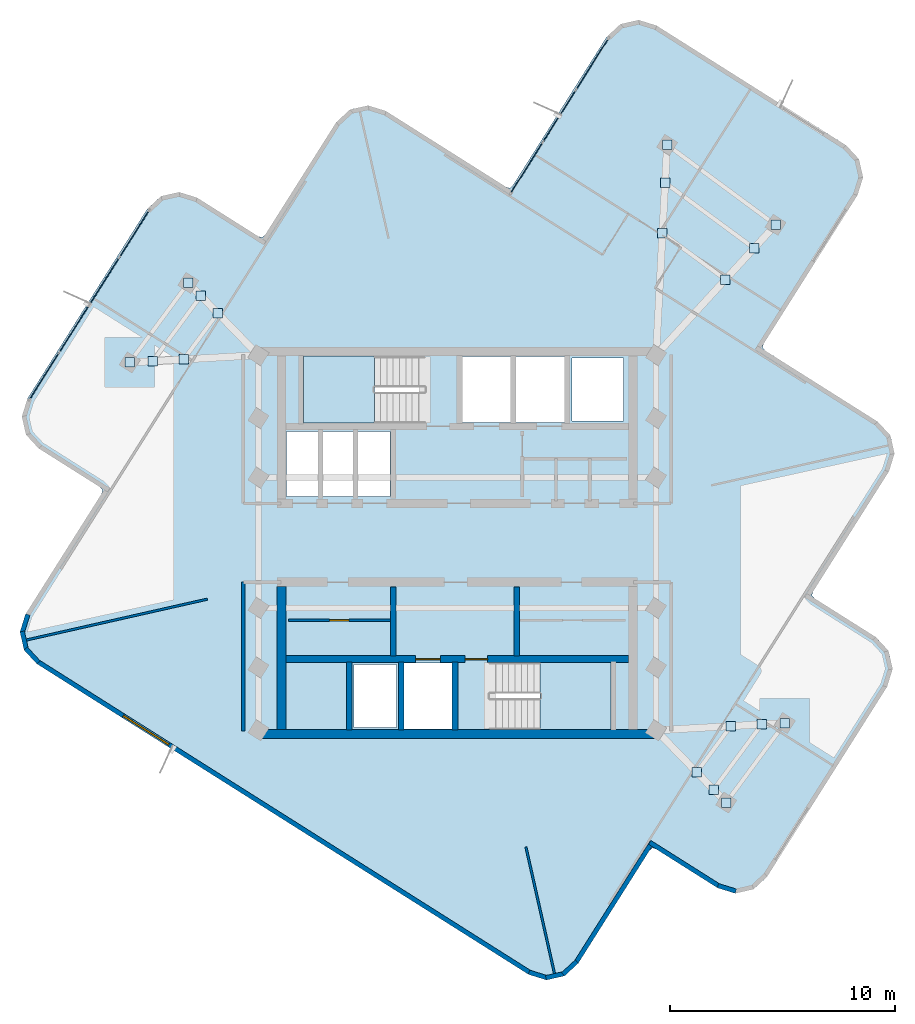
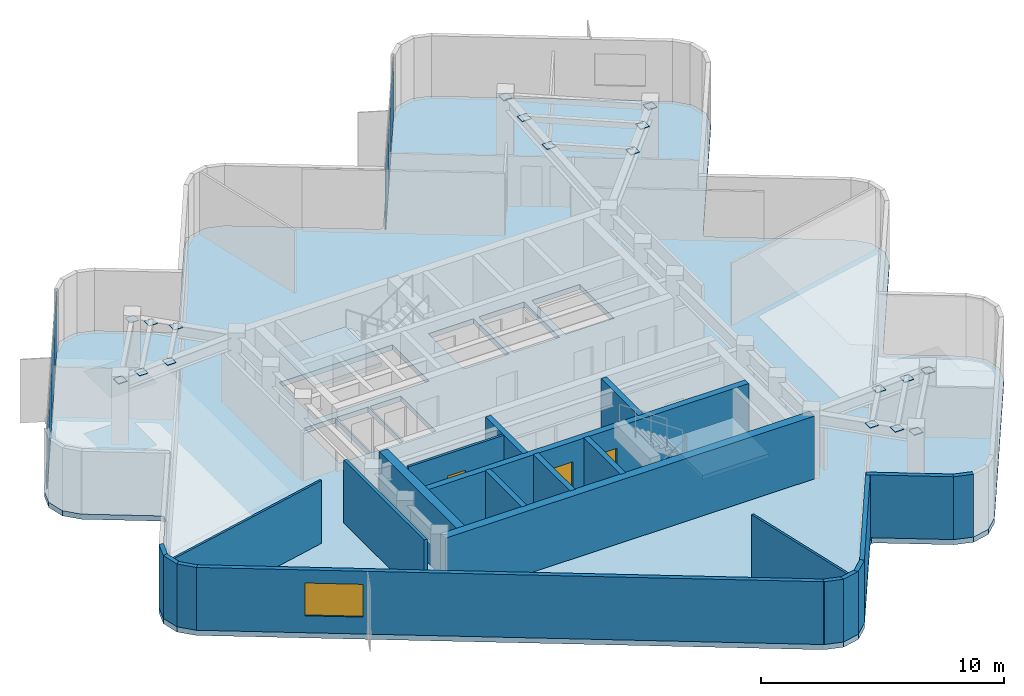
# One storey, part 5 of 10: 25 plates, 22 walls, 3 doors, 3 slabs, 1 window, 4 openings, 4 elements without a shape of their own.
"""IFC4 building model written with IfcOpenShell, lengths in metres."""

from ifc_helpers import new_model, si_unit, direction, frame, frame_2d, origin, origin_2d, place, context, subcontext, project, spatial, polyline, rectangle, outline, extrude, material, layer, layer_set, type_object, element, fill, aggregate, save


model = new_model("IFC4")

# Units and contexts
model_context = context("Model", 3, precision=1e-05, world=origin(), true_north=direction((0.0, 1.0)))
body_context = subcontext(model_context, "Body", "Model", "MODEL_VIEW")
ifc_project = project(units=[si_unit("LENGTHUNIT", "METRE"), si_unit("AREAUNIT", "SQUARE_METRE"), si_unit("VOLUMEUNIT", "CUBIC_METRE"), si_unit("PLANEANGLEUNIT", "RADIAN"), si_unit("MASSUNIT", "GRAM", prefix="KILO")], contexts=[model_context])

# Site, building, storey
site_placement = place(None, origin())
site = spatial("IfcSite", under=ifc_project, at=site_placement, CompositionType="ELEMENT")
building_placement = place(site_placement, origin())
building = spatial("IfcBuilding", under=site, at=building_placement, Name="Solmarez Civic Tower", CompositionType="ELEMENT")
storey_placement = place(building_placement, frame((0.0, 0.0, 274.860107421875)))
storey = spatial("IfcBuildingStorey", under=building, at=storey_placement, Name="L74", CompositionType="ELEMENT", Elevation=274.860107421875)

# Curtain wall, plates
ifc_material_1 = material(Name="Bronze Anodised Aluminium EN AW-6063 T6", Category="aluminium")
ifc_layer_1 = layer(ifc_material_1, 0.1650390625)
ifc_layer_set_1 = layer_set([ifc_layer_1], Name="Bronze Anodised Aluminium EN AW-6063 T6")
curtain_wall_type = type_object("IfcCurtainWallType", Name="CW-SYS-4", PredefinedType="NOTDEFINED", material=ifc_layer_set_1)
curtain_wall_1_placement = place(storey_placement, origin())
curtain_wall_1 = element("IfcCurtainWall", 1, at=curtain_wall_1_placement, inside=storey, type_object=curtain_wall_type, Name="L74 Stick-Built Curtain Wall 1", PredefinedType="NOTDEFINED")
ifc_material_2 = material(Name="Solar Control Low-E Laminated Vision Glass", Category="glass")
ifc_layer_2 = layer(ifc_material_2, 0.0400390625)
ifc_layer_set_2 = layer_set([ifc_layer_2], Name="Solar Control Low-E Laminated Vision Glass")
plate_type_1 = type_object("IfcPlateType", Name="CWP-GLAZ-40", PredefinedType="CURTAIN_PANEL", material=ifc_layer_set_2)
plate_1_placement = place(storey_placement, frame((-18.37890625, 7.41796875, 0.06982421875), z_axis=(0.0, 0.0, 1.0), x_axis=(0.534064309626, 0.845443855725, 0.0)))
plate_1 = element("IfcPlate", 2, at=plate_1_placement, type_object=plate_type_1, Name="CWS4 panel 1.1", PredefinedType="CURTAIN_PANEL", context=body_context, shape_type="SweptSolid", body=[
    extrude(rectangle(XDim=2.415771484375, YDim=0.0400390625, at=origin_2d()), origin(), (0.0, 0.0, 1.0), 3.02001953125),
])
plate_2_placement = place(storey_placement, frame((-17.048583984375, 9.523681640625, 0.06982421875), z_axis=(0.0, 0.0, 1.0), x_axis=(0.534064309626, 0.845443855725, 0.0)))
plate_2 = element("IfcPlate", 3, at=plate_2_placement, type_object=plate_type_1, Name="CWS4 panel 2.1", PredefinedType="CURTAIN_PANEL", context=body_context, shape_type="SweptSolid", body=[
    extrude(rectangle(XDim=2.44580078125, YDim=0.0400390625, at=origin_2d()), origin(), (0.0, 0.0, 1.0), 3.02001953125),
])
plate_3_placement = place(storey_placement, frame((-15.71044921875, 11.642333984375, 0.06982421875), z_axis=(0.0, 0.0, 1.0), x_axis=(0.534064309626, 0.845443855725, 0.0)))
plate_3 = element("IfcPlate", 4, at=plate_3_placement, type_object=plate_type_1, Name="CWS4 panel 3.1", PredefinedType="CURTAIN_PANEL", context=body_context, shape_type="SweptSolid", body=[
    extrude(rectangle(XDim=2.44580078125, YDim=0.0400390625, at=origin_2d()), origin(), (0.0, 0.0, 1.0), 3.02001953125),
])
plate_4_placement = place(storey_placement, frame((-14.380126953125, 13.748046875, 0.06982421875), z_axis=(0.0, 0.0, 1.0), x_axis=(0.534064309626, 0.845443855725, 0.0)))
plate_4 = element("IfcPlate", 5, at=plate_4_placement, type_object=plate_type_1, Name="CWS4 panel 4.1", PredefinedType="CURTAIN_PANEL", context=body_context, shape_type="SweptSolid", body=[
    extrude(rectangle(XDim=2.415771484375, YDim=0.0400390625, at=origin_2d()), origin(), (0.0, 0.0, 1.0), 3.02001953125),
])
aggregate(curtain_wall_1, [plate_1, plate_2, plate_3, plate_4])

curtain_wall_2_placement = place(storey_placement, origin())
curtain_wall_2 = element("IfcCurtainWall", 6, at=curtain_wall_2_placement, inside=storey, type_object=curtain_wall_type, Name="L74 Stick-Built Curtain Wall 2", PredefinedType="NOTDEFINED")
plate_5_placement = place(storey_placement, frame((3.089599609375, 16.687255859375, 0.06982421875), z_axis=(0.0, 0.0, 1.0), x_axis=(0.533951908383, 0.845514848796, 0.0)))
plate_5 = element("IfcPlate", 7, at=plate_5_placement, type_object=plate_type_1, Name="CWS4 panel 1.1", PredefinedType="CURTAIN_PANEL", context=body_context, shape_type="SweptSolid", body=[
    extrude(rectangle(XDim=2.657470703125, YDim=0.0400390625, at=origin_2d()), origin(), (0.0, 0.0, 1.0), 3.02001953125),
])
plate_6_placement = place(storey_placement, frame((4.548583984375, 18.99755859375, 0.06982421875), z_axis=(0.0, 0.0, 1.0), x_axis=(0.533951908383, 0.845514848796, 0.0)))
plate_6 = element("IfcPlate", 8, at=plate_6_placement, type_object=plate_type_1, Name="CWS4 panel 2.1", PredefinedType="CURTAIN_PANEL", context=body_context, shape_type="SweptSolid", body=[
    extrude(rectangle(XDim=2.6875, YDim=0.0400390625, at=origin_2d()), origin(), (0.0, 0.0, 1.0), 3.02001953125),
])
plate_7_placement = place(storey_placement, frame((6.007568359375, 21.307861328125, 0.06982421875), z_axis=(0.0, 0.0, 1.0), x_axis=(0.533951908383, 0.845514848796, 0.0)))
plate_7 = element("IfcPlate", 9, at=plate_7_placement, type_object=plate_type_1, Name="CWS4 panel 3.1", PredefinedType="CURTAIN_PANEL", context=body_context, shape_type="SweptSolid", body=[
    extrude(rectangle(XDim=2.657470703125, YDim=0.0400390625, at=origin_2d()), origin(), (0.0, 0.0, 1.0), 3.02001953125),
])
aggregate(curtain_wall_2, [plate_5, plate_6, plate_7])

# Plates
ifc_material_3 = material(Name="Steel S355", Category="steel")
ifc_layer_3 = layer(ifc_material_3, 0.02392578125)
ifc_layer_set_3 = layer_set([ifc_layer_3], Name="Steel S355")
plate_type_2 = type_object("IfcPlateType", Name="PLT-CAP-380", PredefinedType="USERDEFINED", material=ifc_layer_set_3)
for number, where, z_axis, x_axis, name in (
    (10, (14.1689453125, 14.152099609375, 2.998046875), (0.0, 0.0, 1.0), (1.0, 0.0, 0.0), "Steel Member End Cap Plate CAP-BM-L74-EA-T1-0"),
    (11, (9.341064453125, 17.714111328125, 2.998046875), (0.0, 0.0, 1.0), (1.0, 0.0, 0.0), "Steel Member End Cap Plate CAP-BM-L74-EA-T1-1"),
    (12, (11.93505859375, 11.715087890625, 2.998046875), (0.0, 0.0, 1.0), (1.0, 0.0, 0.0), "Steel Member End Cap Plate CAP-JS-L74-EA-M11-0"),
    (13, (9.135009765625, 13.781005859375, 2.998046875), (0.0, 0.0, 1.0), (1.0, 0.0, 0.0), "Steel Member End Cap Plate CAP-JS-L74-EA-M11-1"),
    (14, (13.2119140625, 13.10791015625, 2.998046875), (0.0, 0.0, 1.0), (1.0, 0.0, 0.0), "Steel Member End Cap Plate CAP-JS-L74-EA-M12-0"),
    (15, (9.2529296875, 16.028076171875, 2.998046875), (0.0, 0.0, 1.0), (1.0, 0.0, 0.0), "Steel Member End Cap Plate CAP-JS-L74-EA-M12-1"),
    (16, (-11.970947265625, 11.56591796875, 2.998046875), (0.0, 0.0, 1.0), (1.0, 0.0, 0.0), "Steel Member End Cap Plate CAP-BM-L74-NA-T1-0"),
    (17, (-14.5830078125, 8.02587890625, 2.998046875), (0.0, 0.0, 1.0), (1.0, 0.0, 0.0), "Steel Member End Cap Plate CAP-BM-L74-NA-T1-1"),
    (18, (-10.659912109375, 10.215087890625, 2.998046875), (0.0, 0.0, 1.0), (1.0, 0.0, 0.0), "Steel Member End Cap Plate CAP-JS-L74-NA-M11-0"),
    (19, (-12.175048828125, 8.162109375, 2.998046875), (0.0, 0.0, 1.0), (1.0, 0.0, 0.0), "Steel Member End Cap Plate CAP-JS-L74-NA-M11-1"),
    (20, (-11.408935546875, 10.987060546875, 2.998046875), (0.0, 0.0, 1.0), (1.0, 0.0, 0.0), "Steel Member End Cap Plate CAP-JS-L74-NA-M12-0"),
    (21, (-13.551025390625, 8.083984375, 2.998046875), (0.0, 0.0, 1.0), (1.0, 0.0, 0.0), "Steel Member End Cap Plate CAP-JS-L74-NA-M12-1"),
    (22, (11.970947265625, -11.56591796875, 2.998046875), (0.0, 0.0, 1.0), (1.0, 0.0, 0.0), "Steel Member End Cap Plate CAP-BM-L74-SA-T1-0"),
    (23, (14.5830078125, -8.02587890625, 2.998046875), (0.0, 0.0, 1.0), (1.0, 0.0, 0.0), "Steel Member End Cap Plate CAP-BM-L74-SA-T1-1"),
    (24, (10.659912109375, -10.215087890625, 2.998046875), (0.0, 0.0, 1.0), (1.0, 0.0, 0.0), "Steel Member End Cap Plate CAP-JS-L74-SA-M11-0"),
    (25, (12.175048828125, -8.162109375, 2.998046875), (0.0, 0.0, 1.0), (1.0, 0.0, 0.0), "Steel Member End Cap Plate CAP-JS-L74-SA-M11-1"),
    (26, (11.408935546875, -10.987060546875, 2.998046875), (0.0, 0.0, 1.0), (1.0, 0.0, 0.0), "Steel Member End Cap Plate CAP-JS-L74-SA-M12-0"),
    (27, (13.551025390625, -8.083984375, 2.998046875), (0.0, 0.0, 1.0), (1.0, 0.0, 0.0), "Steel Member End Cap Plate CAP-JS-L74-SA-M12-1"),
):
    element("IfcPlate", number, at=place(storey_placement, frame(where, z_axis=z_axis, x_axis=x_axis)), inside=storey, type_object=plate_type_2, Name=name, ObjectType="CAP_PLATE", PredefinedType="USERDEFINED", context=body_context, shape_type="SweptSolid", body=[
        extrude(rectangle(XDim=0.419921875, YDim=0.419921875, at=origin_2d()), origin(), (0.0, 0.0, 1.0), 0.02392578125),
    ])

# Stair, slab
ifc_material_4 = material(Name="Concrete C50/60", Category="concrete")
stair_type = type_object("IfcStairType", Name="STAIR-DOGLEG-140W-18R-1900", PredefinedType="HALF_TURN_STAIR", material=ifc_material_4)
stair_1_placement = place(storey_placement, origin())
stair_1 = element("IfcStair", 28, at=stair_1_placement, inside=storey, type_object=stair_type, Name="L74 North Core Protected Exit Stair ST-1", PredefinedType="HALF_TURN_STAIR")
ifc_layer_4 = layer(ifc_material_4, 0.199951171875)
ifc_layer_set_4 = layer_set([ifc_layer_4], Name="Concrete C50/60")
slab_type_1 = type_object("IfcSlabType", Name="SLAB-LANDING-200", PredefinedType="LANDING", material=ifc_layer_set_4)
slab_1_placement = place(storey_placement, frame((0.0, 0.0, 1.510009765625)))
slab_1 = element("IfcSlab", 29, at=slab_1_placement, type_object=slab_type_1, Name="ST-1 landing 1", PredefinedType="LANDING", context=body_context, shape_type="SweptSolid", body=[
    extrude(outline(polyline([(-3.68994140625, 8.320068359375), (-6.85009765625, 8.320068359375), (-6.85009765625, 5.320068359375), (-3.68994140625, 5.320068359375), (-3.68994140625, 8.320068359375)])), origin(), (0.0, 0.0, 1.0), 0.199951171875),
])
aggregate(stair_1, [slab_1])

stair_2_placement = place(storey_placement, origin())
stair_2 = element("IfcStair", 30, at=stair_2_placement, inside=storey, type_object=stair_type, Name="L74 South Core Protected Exit Stair ST-2", PredefinedType="HALF_TURN_STAIR")
slab_2_placement = place(storey_placement, frame((0.0, 0.0, 1.510009765625)))
slab_2 = element("IfcSlab", 31, at=slab_2_placement, type_object=slab_type_1, Name="ST-2 landing 1", PredefinedType="LANDING", context=body_context, shape_type="SweptSolid", body=[
    extrude(outline(polyline([(3.68994140625, -8.320068359375), (6.85009765625, -8.320068359375), (6.85009765625, -5.320068359375), (3.68994140625, -5.320068359375), (3.68994140625, -8.320068359375)])), origin(), (0.0, 0.0, 1.0), 0.199951171875),
])
aggregate(stair_2, [slab_2])

# Slab
ifc_layer_5 = layer(ifc_material_4, 0.260009765625)
ifc_layer_set_5 = layer_set([ifc_layer_5], Name="Concrete C50/60")
slab_type_2 = type_object("IfcSlabType", Name="SLAB-TOWER-260", PredefinedType="FLOOR", material=ifc_layer_set_5)
slab_3_placement = place(storey_placement, frame((0.0, 0.0, -0.260009765625)))
element("IfcSlab", 32, at=slab_3_placement, inside=storey, type_object=slab_type_2, Name="L74 Structural Slab", PredefinedType="FLOOR", context=body_context, shape_type="SweptSolid", body=[
    extrude(outline(polyline([(8.847900390625, -13.632080078125), (11.5859375, -15.362060546875), (12.376953125, -15.60791015625), (13.18505859375, -15.426025390625), (13.7939453125, -14.864013671875), (19.134033203125, -6.408935546875), (19.3798828125, -5.618896484375), (19.197998046875, -4.81103515625), (18.635986328125, -4.201904296875), (15.89697265625, -2.471923828125), (15.781005859375, -2.345947265625), (15.83203125, -2.181884765625), (19.217041015625, 3.177978515625), (19.462890625, 3.968994140625), (19.281005859375, 4.777099609375), (18.718994140625, 5.385009765625), (13.697998046875, 8.556884765625), (13.5810546875, 8.68408203125), (13.632080078125, 8.847900390625), (17.819091796875, 15.47607421875), (18.06494140625, 16.26611328125), (17.882080078125, 17.073974609375), (17.321044921875, 17.68310546875), (8.865966796875, 23.02294921875), (8.074951171875, 23.26904296875), (7.26708984375, 23.0869140625), (6.658935546875, 22.52490234375), (2.471923828125, 15.89697265625), (2.345947265625, 15.781005859375), (2.181884765625, 15.83203125), (-3.177978515625, 19.217041015625), (-3.968994140625, 19.462890625), (-4.777099609375, 19.281005859375), (-5.385009765625, 18.718994140625), (-8.556884765625, 13.697998046875), (-8.68408203125, 13.5810546875), (-8.847900390625, 13.632080078125), (-11.5859375, 15.362060546875), (-12.376953125, 15.60791015625), (-13.18505859375, 15.426025390625), (-13.7939453125, 14.864013671875), (-19.134033203125, 6.408935546875), (-19.3798828125, 5.618896484375), (-19.197998046875, 4.81103515625), (-18.635986328125, 4.201904296875), (-15.89697265625, 2.471923828125), (-15.781005859375, 2.345947265625), (-15.83203125, 2.181884765625), (-19.217041015625, -3.177978515625), (-19.462890625, -3.968994140625), (-19.281005859375, -4.777099609375), (-18.718994140625, -5.385009765625), (3.177978515625, -19.217041015625), (3.968994140625, -19.462890625), (4.777099609375, -19.281005859375), (5.385009765625, -18.718994140625), (8.556884765625, -13.697998046875), (8.68408203125, -13.5810546875), (8.847900390625, -13.632080078125)]), holes=[polyline([(-1.449951171875, 8.320068359375), (-6.85009765625, 8.320068359375), (-6.85009765625, 5.320068359375), (-1.449951171875, 5.320068359375), (-1.449951171875, 8.320068359375)]), polyline([(1.449951171875, -8.320068359375), (6.85009765625, -8.320068359375), (6.85009765625, -5.320068359375), (1.449951171875, -5.320068359375), (1.449951171875, -8.320068359375)]), polyline([(0.219970703125, 5.360107421875), (2.3798828125, 5.360107421875), (2.3798828125, 8.280029296875), (0.219970703125, 8.280029296875), (0.219970703125, 5.360107421875)]), polyline([(2.6201171875, 5.360107421875), (4.780029296875, 5.360107421875), (4.780029296875, 8.280029296875), (2.6201171875, 8.280029296875), (2.6201171875, 5.360107421875)]), polyline([(-2.3798828125, -8.280029296875), (-0.219970703125, -8.280029296875), (-0.219970703125, -5.360107421875), (-2.3798828125, -5.360107421875), (-2.3798828125, -8.280029296875)]), polyline([(-7.60009765625, 2.06005859375), (-6.1201171875, 2.06005859375), (-6.1201171875, 4.9599609375), (-7.60009765625, 4.9599609375), (-7.60009765625, 2.06005859375)]), polyline([(-6.0400390625, 2.06005859375), (-4.56005859375, 2.06005859375), (-4.56005859375, 4.9599609375), (-6.0400390625, 4.9599609375), (-6.0400390625, 2.06005859375)]), polyline([(-4.47998046875, 2.06005859375), (-3.0, 2.06005859375), (-3.0, 4.9599609375), (-4.47998046875, 4.9599609375), (-4.47998046875, 2.06005859375)]), polyline([(5.10009765625, 5.419921875), (7.39990234375, 5.419921875), (7.39990234375, 8.219970703125), (5.10009765625, 8.219970703125), (5.10009765625, 5.419921875)]), polyline([(-4.60009765625, -8.219970703125), (-2.699951171875, -8.219970703125), (-2.699951171875, -5.419921875), (-4.60009765625, -5.419921875), (-4.60009765625, -8.219970703125)])]), origin(), (0.0, 0.0, 1.0), 0.260009765625),
])

# Walls
ifc_layer_6 = layer(ifc_material_4, 0.39990234375)
ifc_layer_set_6 = layer_set([ifc_layer_6], Name="Concrete C50/60")
wall_type_1 = type_object("IfcWallType", Name="WALL-CORE-400", PredefinedType="SHEAR", material=ifc_layer_set_6)
wall_1_placement = place(storey_placement, frame((8.780029296875, -8.510009765625, 0.0), z_axis=(0.0, 0.0, 1.0), x_axis=(-1.0, 0.0, 0.0)))
element("IfcWall", 33, at=wall_1_placement, inside=storey, type_object=wall_type_1, Name="L74 Split-Core Structural Wall SCW-S-L74", PredefinedType="SHEAR", context=body_context, shape_type="SweptSolid", body=[
    extrude(rectangle(XDim=17.56005859375, YDim=0.39990234375, at=frame_2d((8.780029296875, 0.0))), origin(), (0.0, 0.0, 1.0), 3.159912109375),
])
wall_2_placement = place(storey_placement, frame((-7.820068359375, -8.31005859375, 0.0), z_axis=(0.0, 0.0, 1.0), x_axis=(0.0, 1.0, 0.0)))
element("IfcWall", 34, at=wall_2_placement, inside=storey, type_object=wall_type_1, Name="L74 Split-Core Structural Wall SCW-W-L74", PredefinedType="SHEAR", context=body_context, shape_type="SweptSolid", body=[
    extrude(rectangle(XDim=6.360107421875, YDim=0.39990234375, at=frame_2d((3.18017578125, 0.0))), origin(), (0.0, 0.0, 1.0), 3.159912109375),
])
ifc_material_5 = material(Name="Precast concrete C40/50", Category="concrete")
ifc_layer_7 = layer(ifc_material_5, 0.199951171875)
ifc_layer_set_7 = layer_set([ifc_layer_7], Name="Precast concrete C40/50")
wall_type_2 = type_object("IfcWallType", Name="WALL-EXT-200", PredefinedType="SOLIDWALL", material=ifc_layer_set_7)
wall_3_placement = place(storey_placement, frame((8.680908203125, -13.31396484375, 0.0), z_axis=(0.0, 0.0, 1.0), x_axis=(-0.533927810135, -0.845530066623, 0.0)))
element("IfcWall", 35, at=wall_3_placement, inside=storey, type_object=wall_type_2, Name="L74 Exterior Precast Wall 2", PredefinedType="SOLIDWALL", context=body_context, shape_type="SweptSolid", body=[
    extrude(rectangle(XDim=6.341552734375, YDim=0.199951171875, at=frame_2d((3.1708984375, 0.0))), origin(), (0.0, 0.0, 1.0), 3.159912109375),
])
wall_4_placement = place(storey_placement, frame((5.325927734375, -18.637939453125, 0.0), z_axis=(0.0, 0.0, 1.0), x_axis=(-0.734546260064, -0.678558613405, 0.0)))
element("IfcWall", 36, at=wall_4_placement, inside=storey, type_object=wall_type_2, Name="L74 Exterior Precast Wall 3", PredefinedType="SOLIDWALL", context=body_context, shape_type="SweptSolid", body=[
    extrude(rectangle(XDim=0.837158203125, YDim=0.199951171875, at=frame_2d((0.41845703125, 0.0))), origin(), (0.0, 0.0, 1.0), 3.159912109375),
])
wall_5_placement = place(storey_placement, frame((4.7529296875, -19.18310546875, 0.0), z_axis=(0.0, 0.0, 1.0), x_axis=(-0.975095027757, -0.22178748126, 0.0)))
element("IfcWall", 37, at=wall_5_placement, inside=storey, type_object=wall_type_2, Name="L74 Exterior Precast Wall 4", PredefinedType="SOLIDWALL", context=body_context, shape_type="SweptSolid", body=[
    extrude(rectangle(XDim=0.824462890625, YDim=0.199951171875, at=frame_2d((0.412109375, 0.0))), origin(), (0.0, 0.0, 1.0), 3.159912109375),
])
wall_6_placement = place(storey_placement, frame((3.9970703125, -19.366943359375, 0.0), z_axis=(0.0, 0.0, 1.0), x_axis=(-0.955248680357, 0.295803919306, 0.0)))
element("IfcWall", 38, at=wall_6_placement, inside=storey, type_object=wall_type_2, Name="L74 Exterior Precast Wall 5", PredefinedType="SOLIDWALL", context=body_context, shape_type="SweptSolid", body=[
    extrude(rectangle(XDim=0.838623046875, YDim=0.199951171875, at=frame_2d((0.41943359375, 0.0))), origin(), (0.0, 0.0, 1.0), 3.159912109375),
])

# Wall, opening, window
wall_7_placement = place(storey_placement, frame((3.240966796875, -19.138916015625, 0.0), z_axis=(0.0, 0.0, 1.0), x_axis=(-0.84545958519, 0.534039408481, 0.0)))
wall_7 = element("IfcWall", 39, at=wall_7_placement, inside=storey, type_object=wall_type_2, Name="L74 Exterior Precast Wall 6", PredefinedType="SOLIDWALL", context=body_context, shape_type="SweptSolid", body=[
    extrude(rectangle(XDim=25.923095703125, YDim=0.199951171875, at=frame_2d((12.96142578125, 0.0))), origin(), (0.0, 0.0, 1.0), 3.159912109375),
])
opening_1_placement = place(wall_7_placement, frame((19.02001953125, 0.0, 0.85009765625)))
opening_1 = element("IfcOpeningElement", 40, at=opening_1_placement, cuts=wall_7, Name="Opening W-10", PredefinedType="OPENING", context=body_context, shape_type="SweptSolid", body=[
    extrude(rectangle(XDim=2.39990234375, YDim=1.64990234375, at=frame_2d((1.199951171875, 0.824951171875))), frame((0.0, 0.10986328125, 0.0), z_axis=(0.0, -1.0, 0.0), x_axis=(1.0, 0.0, 0.0)), (0.0, 0.0, 1.0), 0.219970703125),
])
ifc_material_6 = material(Name="Solar Control Bronze-Tinted Insulating Glass", Category="glass")
window_type = type_object("IfcWindowType", Name="WIN-2400X1650", PartitioningType="SINGLE_PANEL", PredefinedType="WINDOW", material=ifc_material_6)
window_placement = place(opening_1_placement, origin())
window = element("IfcWindow", 41, at=window_placement, inside=storey, type_object=window_type, Name="L74 Exterior Facade Window 6", OverallHeight=1.64990234375, OverallWidth=2.39990234375, PartitioningType="SINGLE_PANEL", PredefinedType="WINDOW", context=body_context, shape_type="SweptSolid", body=[
    extrude(rectangle(XDim=2.39990234375, YDim=1.64990234375, at=frame_2d((1.199951171875, 0.824951171875))), frame((0.0, 0.030029296875, 0.0), z_axis=(0.0, -1.0, 0.0), x_axis=(1.0, 0.0, 0.0)), (0.0, 0.0, 1.0), 0.06005859375),
])
fill(opening_1, window)

# Walls
wall_8_placement = place(storey_placement, frame((-18.637939453125, -5.325927734375, 0.0), z_axis=(0.0, 0.0, 1.0), x_axis=(-0.678558613405, 0.734546260064, 0.0)))
element("IfcWall", 42, at=wall_8_placement, inside=storey, type_object=wall_type_2, Name="L74 Exterior Precast Wall 7", PredefinedType="SOLIDWALL", context=body_context, shape_type="SweptSolid", body=[
    extrude(rectangle(XDim=0.837158203125, YDim=0.199951171875, at=frame_2d((0.41845703125, 0.0))), origin(), (0.0, 0.0, 1.0), 3.159912109375),
])
wall_9_placement = place(storey_placement, frame((-19.18310546875, -4.7529296875, 0.0), z_axis=(0.0, 0.0, 1.0), x_axis=(-0.22178748126, 0.975095027757, 0.0)))
element("IfcWall", 43, at=wall_9_placement, inside=storey, type_object=wall_type_2, Name="L74 Exterior Precast Wall 8", PredefinedType="SOLIDWALL", context=body_context, shape_type="SweptSolid", body=[
    extrude(rectangle(XDim=0.824462890625, YDim=0.199951171875, at=frame_2d((0.412109375, 0.0))), origin(), (0.0, 0.0, 1.0), 3.159912109375),
])
wall_10_placement = place(storey_placement, frame((-19.366943359375, -3.9970703125, 0.0), z_axis=(0.0, 0.0, 1.0), x_axis=(0.295803919306, 0.955248680357, 0.0)))
element("IfcWall", 44, at=wall_10_placement, inside=storey, type_object=wall_type_2, Name="L74 Exterior Precast Wall 9", PredefinedType="SOLIDWALL", context=body_context, shape_type="SweptSolid", body=[
    extrude(rectangle(XDim=0.838623046875, YDim=0.199951171875, at=frame_2d((0.41943359375, 0.0))), origin(), (0.0, 0.0, 1.0), 3.159912109375),
])
wall_11_placement = place(storey_placement, frame((12.405029296875, -15.511962890625, 0.0), z_axis=(0.0, 0.0, 1.0), x_axis=(-0.95514660916, 0.296133339917, 0.0)))
element("IfcWall", 45, at=wall_11_placement, inside=storey, type_object=wall_type_2, Name="L74 Exterior Precast Wall 56", PredefinedType="SOLIDWALL", context=body_context, shape_type="SweptSolid", body=[
    extrude(rectangle(XDim=0.837646484375, YDim=0.199951171875, at=frame_2d((0.4189453125, 0.0))), origin(), (0.0, 0.0, 1.0), 3.159912109375),
])
wall_12_placement = place(storey_placement, frame((11.64990234375, -15.283935546875, 0.0), z_axis=(0.0, 0.0, 1.0), x_axis=(-0.84553031048, 0.533927423962, 0.0)))
element("IfcWall", 46, at=wall_12_placement, inside=storey, type_object=wall_type_2, Name="L74 Exterior Precast Wall 57", PredefinedType="SOLIDWALL", context=body_context, shape_type="SweptSolid", body=[
    extrude(rectangle(XDim=3.642578125, YDim=0.199951171875, at=frame_2d((1.8212890625, 0.0))), origin(), (0.0, 0.0, 1.0), 3.159912109375),
])
ifc_material_7 = material(Name="Gypsum Board Acoustic Steel-Stud Partition", Category="steel")
ifc_layer_8 = layer(ifc_material_7, 0.14990234375)
ifc_layer_set_8 = layer_set([ifc_layer_8], Name="Gypsum Board Acoustic Steel-Stud Partition")
wall_type_3 = type_object("IfcWallType", Name="WALL-INT-FIRE-150", PredefinedType="PARTITIONING", material=ifc_layer_set_8)
wall_13_placement = place(storey_placement, frame((-9.52001953125, -8.3798828125, 0.0), z_axis=(0.0, 0.0, 1.0), x_axis=(0.0, 1.0, 0.0)))
element("IfcWall", 47, at=wall_13_placement, inside=storey, type_object=wall_type_3, Name="L74 Interior Partition CHW-L74-WS1", PredefinedType="PARTITIONING", context=body_context, shape_type="SweptSolid", body=[
    extrude(rectangle(XDim=6.6298828125, YDim=0.14990234375, at=frame_2d((3.31494140625, 0.0))), origin(), (0.0, 0.0, 1.0), 3.159912109375),
])
ifc_layer_9 = layer(ifc_material_7, 0.10009765625)
ifc_layer_set_9 = layer_set([ifc_layer_9], Name="Gypsum Board Acoustic Steel-Stud Partition")
wall_type_4 = type_object("IfcWallType", Name="WALL-INT-PART-100", PredefinedType="PARTITIONING", material=ifc_layer_set_9)
wall_14_placement = place(storey_placement, frame((-11.1201171875, -2.510009765625, 0.0), z_axis=(0.0, 0.0, 1.0), x_axis=(-0.975442430033, -0.220254547494, 0.0)))
element("IfcWall", 48, at=wall_14_placement, inside=storey, type_object=wall_type_4, Name="L74 Interior Partition PT-L74-QDIV-2", PredefinedType="PARTITIONING", context=body_context, shape_type="SweptSolid", body=[
    extrude(rectangle(XDim=8.29443359375, YDim=0.10009765625, at=frame_2d((4.147216796875, 0.0))), origin(), (0.0, 0.0, 1.0), 3.159912109375),
])
wall_15_placement = place(storey_placement, frame((3.055908203125, -13.5400390625, 0.0), z_axis=(0.0, 0.0, 1.0), x_axis=(0.22033949405, -0.975423245244, 0.0)))
element("IfcWall", 49, at=wall_15_placement, inside=storey, type_object=wall_type_4, Name="L74 Interior Partition PT-L74-QDIV-3", PredefinedType="PARTITIONING", context=body_context, shape_type="SweptSolid", body=[
    extrude(rectangle(XDim=5.813720703125, YDim=0.10009765625, at=frame_2d((2.90673828125, 0.0))), origin(), (0.0, 0.0, 1.0), 3.159912109375),
])

# Wall, opening, door
ifc_layer_10 = layer(ifc_material_7, 0.1201171875)
ifc_layer_set_10 = layer_set([ifc_layer_10], Name="Gypsum Board Acoustic Steel-Stud Partition")
wall_type_5 = type_object("IfcWallType", Name="WALL-INT-PART-120", PredefinedType="PARTITIONING", material=ifc_layer_set_10)
wall_16_placement = place(storey_placement, frame((-7.52001953125, -3.449951171875, 0.0), z_axis=(0.0, 0.0, 1.0), x_axis=(1.0, 0.0, 0.0)))
wall_16 = element("IfcWall", 50, at=wall_16_placement, inside=storey, type_object=wall_type_5, Name="L74 Interior Partition PT-FPLM-L74", PredefinedType="PARTITIONING", context=body_context, shape_type="SweptSolid", body=[
    extrude(rectangle(XDim=4.5400390625, YDim=0.1201171875, at=frame_2d((2.27001953125, 0.0))), origin(), (0.0, 0.0, 1.0), 3.159912109375),
])
opening_2_placement = place(wall_16_placement, frame((1.840087890625, 0.0, 0.0)))
opening_2 = element("IfcOpeningElement", 51, at=opening_2_placement, cuts=wall_16, Name="Opening D-14", PredefinedType="OPENING", context=body_context, shape_type="SweptSolid", body=[
    extrude(rectangle(XDim=0.860107421875, YDim=2.0400390625, at=frame_2d((0.43017578125, 1.02001953125))), frame((0.0, 0.070068359375, 0.0), z_axis=(0.0, -1.0, 0.0), x_axis=(1.0, 0.0, 0.0)), (0.0, 0.0, 1.0), 0.14013671875),
])
ifc_material_8 = material(Name="Timber Storage and Pantry Door", Category="wood")
door_type_1 = type_object("IfcDoorType", Name="DOOR-INT-850", OperationType="NOTDEFINED", PredefinedType="DOOR", material=ifc_material_8)
door_1_placement = place(opening_2_placement, origin())
door_1 = element("IfcDoor", 52, at=door_1_placement, inside=storey, type_object=door_type_1, Name="L74 Directorate Copy Office Door", OperationType="SINGLE_SWING_RIGHT", OverallHeight=2.0400390625, OverallWidth=0.860107421875, PredefinedType="DOOR", context=body_context, shape_type="SweptSolid", body=[
    extrude(rectangle(XDim=0.860107421875, YDim=2.0400390625, at=frame_2d((0.43017578125, 1.02001953125))), frame((0.0, 0.02490234375, 0.0), z_axis=(0.0, -1.0, 0.0), x_axis=(1.0, 0.0, 0.0)), (0.0, 0.0, 1.0), 0.050048828125),
])
fill(opening_2, door_1)

# Wall, openings, doors
ifc_layer_11 = layer(ifc_material_4, 0.300048828125)
ifc_layer_set_11 = layer_set([ifc_layer_11], Name="Concrete C50/60")
wall_type_6 = type_object("IfcWallType", Name="WALL-STR-300", PredefinedType="SOLIDWALL", material=ifc_layer_set_11)
wall_17_placement = place(storey_placement, frame((-7.6201171875, -5.179931640625, 0.0), z_axis=(0.0, 0.0, 1.0), x_axis=(1.0, 0.0, 0.0)))
wall_17 = element("IfcWall", 53, at=wall_17_placement, inside=storey, type_object=wall_type_6, Name="L74 Split-Core Structural Wall SCW-M-L74", PredefinedType="SOLIDWALL", context=body_context, shape_type="SweptSolid", body=[
    extrude(rectangle(XDim=15.240234375, YDim=0.300048828125, at=frame_2d((7.6201171875, 0.0))), origin(), (0.0, 0.0, 1.0), 3.159912109375),
])
opening_3_placement = place(wall_17_placement, frame((5.77001953125, 0.0, 0.0)))
opening_3 = element("IfcOpeningElement", 54, at=opening_3_placement, cuts=wall_17, Name="Opening LD-02", PredefinedType="OPENING", context=body_context, shape_type="SweptSolid", body=[
    extrude(rectangle(XDim=1.10009765625, YDim=2.14990234375, at=frame_2d((0.550048828125, 1.074951171875))), frame((0.0, 0.159912109375, 0.0), z_axis=(0.0, -1.0, 0.0), x_axis=(1.0, 0.0, 0.0)), (0.0, 0.0, 1.0), 0.320068359375),
])
opening_4_placement = place(wall_17_placement, frame((7.969970703125, 0.0, 0.0)))
opening_4 = element("IfcOpeningElement", 55, at=opening_4_placement, cuts=wall_17, Name="Opening D-05", PredefinedType="OPENING", context=body_context, shape_type="SweptSolid", body=[
    extrude(rectangle(XDim=1.0, YDim=2.10009765625, at=frame_2d((0.5, 1.050048828125))), frame((0.0, 0.159912109375, 0.0), z_axis=(0.0, -1.0, 0.0), x_axis=(1.0, 0.0, 0.0)), (0.0, 0.0, 1.0), 0.320068359375),
])
ifc_material_9 = material(Name="Fire-Rated Stairwell Exit Door", Category="wood")
door_type_2 = type_object("IfcDoorType", Name="DOOR-FD90-1000", OperationType="NOTDEFINED", PredefinedType="DOOR", material=ifc_material_9)
door_2_placement = place(opening_4_placement, origin())
door_2 = element("IfcDoor", 56, at=door_2_placement, inside=storey, type_object=door_type_2, Name="L74 South Exit Stair Door ST-2", OperationType="SINGLE_SWING_RIGHT", OverallHeight=2.10009765625, OverallWidth=1.0, PredefinedType="DOOR", context=body_context, shape_type="SweptSolid", body=[
    extrude(rectangle(XDim=1.0, YDim=2.10009765625, at=frame_2d((0.5, 1.050048828125))), frame((0.0, 0.02490234375, 0.0), z_axis=(0.0, -1.0, 0.0), x_axis=(1.0, 0.0, 0.0)), (0.0, 0.0, 1.0), 0.050048828125),
])
fill(opening_4, door_2)
ifc_material_10 = material(Name="Stainless Firefighting Lift Landing Sliding Door", Category="aluminium")
door_type_3 = type_object("IfcDoorType", Name="DOOR-LD-FF-1100", OperationType="DOUBLE_DOOR_SLIDING", PredefinedType="DOOR", material=ifc_material_10)
door_3_placement = place(opening_3_placement, origin())
door_3 = element("IfcDoor", 57, at=door_3_placement, inside=storey, type_object=door_type_3, Name="L74 Firefighting Lift Landing Door FFL-2", OperationType="DOUBLE_DOOR_SLIDING", OverallHeight=2.14990234375, OverallWidth=1.10009765625, PredefinedType="DOOR", context=body_context, shape_type="SweptSolid", body=[
    extrude(rectangle(XDim=1.10009765625, YDim=2.14990234375, at=frame_2d((0.550048828125, 1.074951171875))), frame((0.0, 0.02490234375, 0.0), z_axis=(0.0, -1.0, 0.0), x_axis=(1.0, 0.0, 0.0)), (0.0, 0.0, 1.0), 0.050048828125),
])
fill(opening_3, door_3)

# Walls
for number, where, z_axis, x_axis, name in (
    (58, (-0.10009765625, -8.340087890625, 0.0), (0.0, 0.0, 1.0), (0.0, 1.0, 0.0), "L74 Split-Core Structural Wall SHW-S1-L74"),
    (59, (-2.5, -8.340087890625, 0.0), (0.0, 0.0, 1.0), (0.0, 1.0, 0.0), "L74 Split-Core Structural Wall SHW-S2-L74"),
    (60, (-4.800048828125, -8.340087890625, 0.0), (0.0, 0.0, 1.0), (0.0, 1.0, 0.0), "L74 Split-Core Structural Wall SHW-S3-L74"),
):
    element("IfcWall", number, at=place(storey_placement, frame(where, z_axis=z_axis, x_axis=x_axis)), inside=storey, type_object=wall_type_6, Name=name, PredefinedType="SOLIDWALL", context=body_context, shape_type="SweptSolid", body=[
        extrude(rectangle(XDim=3.0400390625, YDim=0.25, at=frame_2d((1.52001953125, 0.0))), origin(), (0.0, 0.0, 1.0), 3.159912109375),
    ])
for number, where, z_axis, x_axis, name in (
    (61, (-2.85009765625, -5.050048828125, 0.0), (0.0, 0.0, 1.0), (0.0, 1.0, 0.0), "L74 Split-Core Structural Wall SHW-SL1-L74"),
    (62, (2.64990234375, -5.050048828125, 0.0), (0.0, 0.0, 1.0), (0.0, 1.0, 0.0), "L74 Split-Core Structural Wall SHW-SL2-L74"),
):
    element("IfcWall", number, at=place(storey_placement, frame(where, z_axis=z_axis, x_axis=x_axis)), inside=storey, type_object=wall_type_6, Name=name, PredefinedType="SOLIDWALL", context=body_context, shape_type="SweptSolid", body=[
        extrude(rectangle(XDim=3.070068359375, YDim=0.25, at=frame_2d((1.53515625, 0.0))), origin(), (0.0, 0.0, 1.0), 3.159912109375),
    ])

save(model, "model.ifc")
